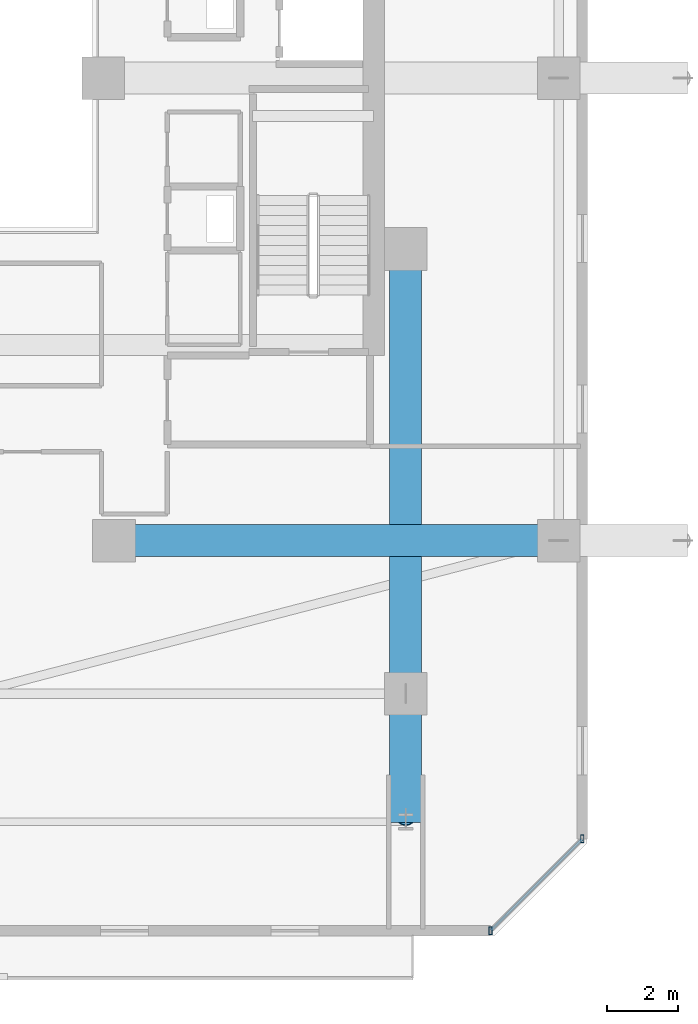
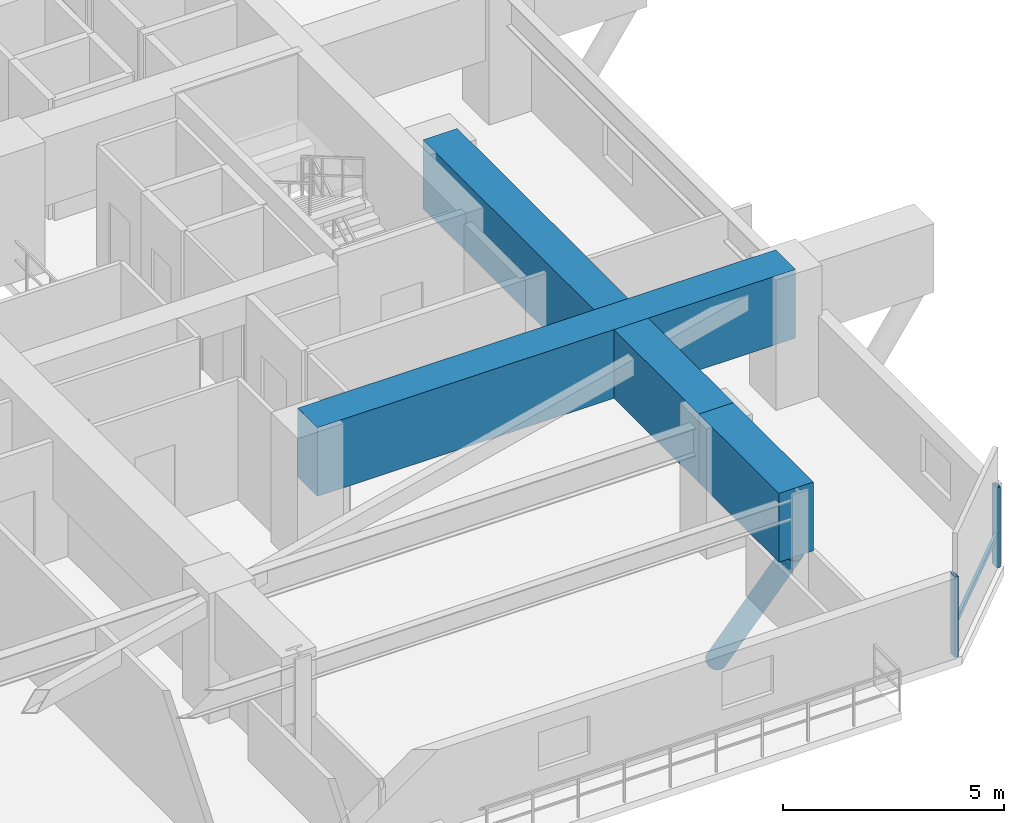
# One storey, part 13 of 36: 4 members, 3 beams, 1 element without a shape of its own.
"""IFC4 building model written with IfcOpenShell, lengths in metres."""

from ifc_helpers import new_model, si_unit, direction, frame, origin, origin_2d, place, context, subcontext, project, spatial, rectangle, hollow_rectangle, hollow_circle, extrude, material, material_profile, profile_set, type_object, element, aggregate, save


model = new_model("IFC4")

# Units and contexts
model_context = context("Model", 3, precision=1e-05, world=origin(), true_north=direction((0.0, 1.0)))
body_context = subcontext(model_context, "Body", "Model", "MODEL_VIEW")
ifc_project = project(units=[si_unit("LENGTHUNIT", "METRE"), si_unit("AREAUNIT", "SQUARE_METRE"), si_unit("VOLUMEUNIT", "CUBIC_METRE"), si_unit("PLANEANGLEUNIT", "RADIAN"), si_unit("MASSUNIT", "GRAM", prefix="KILO")], contexts=[model_context])

# Site, building, storey
site_placement = place(None, origin())
site = spatial("IfcSite", under=ifc_project, at=site_placement, CompositionType="ELEMENT")
building_placement = place(site_placement, origin())
building = spatial("IfcBuilding", under=site, at=building_placement, Name="Thornwick Lancets Civic Towers", CompositionType="ELEMENT")
storey_placement = place(building_placement, frame((0.0, 0.0, 116.10009765625)))
storey = spatial("IfcBuildingStorey", under=building, at=storey_placement, Name="L30", CompositionType="ELEMENT", Elevation=116.10009765625)

# Beams
ifc_material_1 = material(Name="Concrete C60/75", Category="concrete")
ifc_material_profile_1 = material_profile(ifc_material_1, rectangle(XDim=0.89990234375, YDim=1.89990234375, at=origin_2d()), Name="RC 900x1900")
ifc_profile_set_1 = profile_set([ifc_material_profile_1], Name="Concrete C60/75")
beam_type = type_object("IfcBeamType", Name="BM_TR_RC1900", PredefinedType="BEAM", material=ifc_profile_set_1)
for number, where, z_axis, x_axis, name in (
    (1, (93.300048828125, 14.0, 2.64990234375), (1.0, 0.0, 0.0), (0.0, 1.0, 0.0), "TG-BACK-L31-B01"),
    (2, (101.5, 22.199951171875, 2.64990234375), (0.0, -1.0, 0.0), (1.0, 0.0, 0.0), "TG-BACK-L31-B10"),
):
    element("IfcBeam", number, at=place(storey_placement, frame(where, z_axis=z_axis, x_axis=x_axis)), inside=storey, type_object=beam_type, Name=name, PredefinedType="BEAM", context=body_context, shape_type="SweptSolid", body=[
        extrude(rectangle(XDim=0.89990234375, YDim=1.89990234375, at=origin_2d()), origin(), (0.0, 0.0, 1.0), 12.5),
    ])
beam_placement = place(storey_placement, frame((101.5, 9.699951171875, 2.64990234375), z_axis=(0.0, -1.0, 0.0), x_axis=(1.0, 0.0, 0.0)))
element("IfcBeam", 3, at=beam_placement, inside=storey, type_object=beam_type, Name="TG-CANT-L31-B10", PredefinedType="BEAM", context=body_context, shape_type="SweptSolid", body=[
    extrude(rectangle(XDim=0.89990234375, YDim=1.89990234375, at=origin_2d()), origin(), (0.0, 0.0, 1.0), 3.619873046875),
])

# Curtain wall, members
ifc_material_2 = material(Name="Low-zone chamfered-corner unitised glass curtain wall", Category="glass")
curtain_wall_type = type_object("IfcCurtainWallType", Name="CW_SYS_03", PredefinedType="NOTDEFINED", material=ifc_material_2)
curtain_wall_placement = place(storey_placement, origin())
curtain_wall = element("IfcCurtainWall", 4, at=curtain_wall_placement, inside=storey, type_object=curtain_wall_type, Name="L30 Curtain Wall CW-L30-B-E1", PredefinedType="NOTDEFINED")
ifc_material_3 = material(Name="Thermally broken bronze aluminium S355", Category="steel")
ifc_material_profile_2 = material_profile(ifc_material_3, hollow_rectangle(XDim=0.090087890625, YDim=0.219970703125, WallThickness=0.00634765625, at=origin_2d()), Name="RHS 220x90x6.3")
ifc_profile_set_2 = profile_set([ifc_material_profile_2], Name="Thermally broken bronze aluminium S355")
member_type_1 = type_object("IfcMemberType", Name="CW_MUL_220", PredefinedType="MULLION", material=ifc_profile_set_2)
member_1_placement = place(storey_placement, frame((103.88134765625, 3.035400390625, 0.0), z_axis=(0.0, 0.0, 1.0), x_axis=(1.0, 0.0, 0.0)))
member_1 = element("IfcMember", 5, at=member_1_placement, type_object=member_type_1, Name="CW-L30-B-E1 Mullion 0", PredefinedType="MULLION", context=body_context, shape_type="SweptSolid", body=[
    extrude(hollow_rectangle(XDim=0.090087890625, YDim=0.219970703125, WallThickness=0.00634765625, at=origin_2d()), origin(), (0.0, 0.0, 1.0), 2.219970703125),
])
member_2_placement = place(storey_placement, frame((106.464599609375, 5.61865234375, 0.0), z_axis=(0.0, 0.0, 1.0), x_axis=(1.0, 0.0, 0.0)))
member_2 = element("IfcMember", 6, at=member_2_placement, type_object=member_type_1, Name="CW-L30-B-E1 Mullion 1", PredefinedType="MULLION", context=body_context, shape_type="SweptSolid", body=[
    extrude(hollow_rectangle(XDim=0.090087890625, YDim=0.219970703125, WallThickness=0.00634765625, at=origin_2d()), origin(), (0.0, 0.0, 1.0), 2.219970703125),
])
ifc_material_profile_3 = material_profile(ifc_material_3, hollow_rectangle(XDim=0.074951171875, YDim=0.14990234375, WallThickness=0.0048828125, at=origin_2d()), Name="RHS 150x75x5")
ifc_profile_set_3 = profile_set([ifc_material_profile_3], Name="Thermally broken bronze aluminium S355")
member_type_2 = type_object("IfcMemberType", Name="CW_TRN_150", PredefinedType="USERDEFINED", material=ifc_profile_set_3)
member_3_placement = place(storey_placement, frame((103.8955078125, 3.04931640625, 0.849853515625), z_axis=(0.707106781187, 0.707106781187, 0.0), x_axis=(-0.707106781187, 0.707106781187, 0.0)))
member_3 = element("IfcMember", 7, at=member_3_placement, type_object=member_type_2, Name="CW-L30-B-E1 Transom 0", ObjectType="TRANSOM", PredefinedType="USERDEFINED", context=body_context, shape_type="SweptSolid", body=[
    extrude(hollow_rectangle(XDim=0.074951171875, YDim=0.14990234375, WallThickness=0.0048828125, at=origin_2d()), origin(), (0.0, 0.0, 1.0), 3.613525390625),
])
aggregate(curtain_wall, [member_1, member_2, member_3])

# Member
ifc_material_4 = material(Name="Steel S460M", Category="steel")
ifc_material_profile_4 = material_profile(ifc_material_4, hollow_circle(Radius=0.25390625, WallThickness=0.02490234375, at=origin_2d()), Name="CHS 508x25")
ifc_profile_set_4 = profile_set([ifc_material_profile_4], Name="Steel S460M")
member_type_3 = type_object("IfcMemberType", Name="MEM_STRUT_CHS508", PredefinedType="STRUT", material=ifc_profile_set_4)
member_4_placement = place(storey_placement, frame((101.5, 9.699951171875, -3.35009765625), z_axis=(0.0, -0.563595410885, 0.826050974716), x_axis=(1.0, 0.0, 0.0)))
element("IfcMember", 8, at=member_4_placement, inside=storey, type_object=member_type_3, Name="L31 Jenga Transfer Raking Strut B10", PredefinedType="STRUT", context=body_context, shape_type="SweptSolid", body=[
    extrude(hollow_circle(Radius=0.25390625, WallThickness=0.02490234375, at=origin_2d()), origin(), (0.0, 0.0, 1.0), 6.210205078125),
])

save(model, "model.ifc")
